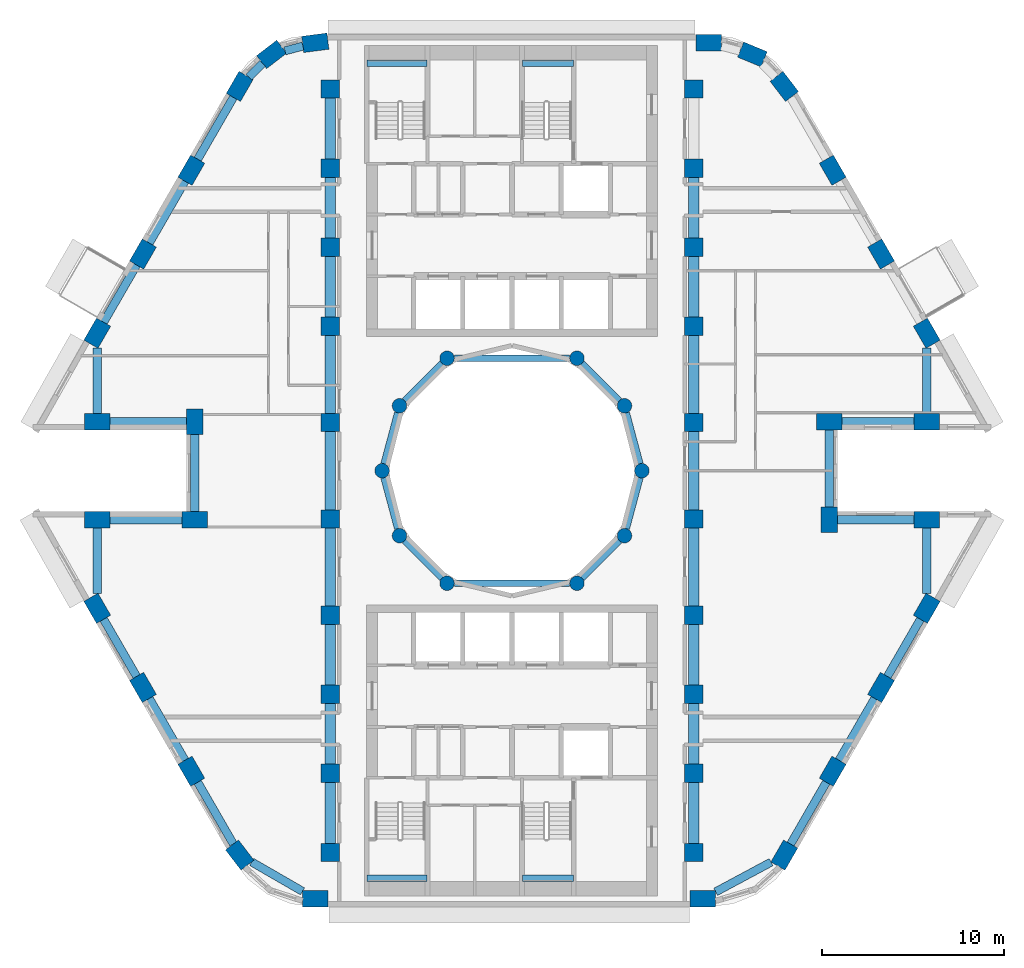
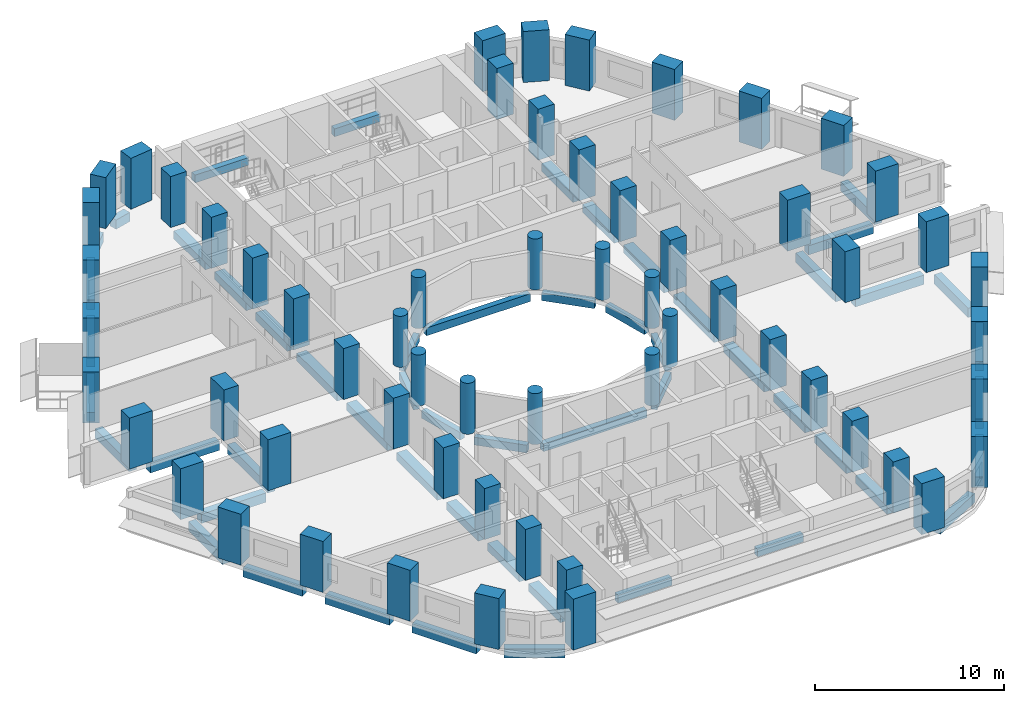
# One storey, part 1 of 14: 60 columns, 54 beams.
"""IFC4 building model written with IfcOpenShell, lengths in metres."""

from ifc_helpers import new_model, si_unit, direction, frame, origin, origin_2d, place, context, subcontext, project, spatial, rectangle, circle, extrude, material, material_profile, profile_set, type_object, element, save


model = new_model("IFC4")

# Units and contexts
model_context = context("Model", 3, precision=1e-05, world=origin(), true_north=direction((0.0, 1.0)))
body_context = subcontext(model_context, "Body", "Model", "MODEL_VIEW")
ifc_project = project(units=[si_unit("LENGTHUNIT", "METRE"), si_unit("AREAUNIT", "SQUARE_METRE"), si_unit("VOLUMEUNIT", "CUBIC_METRE"), si_unit("PLANEANGLEUNIT", "RADIAN"), si_unit("MASSUNIT", "GRAM", prefix="KILO")], contexts=[model_context])

# Site, building, storey
site_placement = place(None, origin())
site = spatial("IfcSite", under=ifc_project, at=site_placement, CompositionType="ELEMENT")
building_placement = place(site_placement, origin())
building = spatial("IfcBuilding", under=site, at=building_placement, Name="Nakaniwa Court", CompositionType="ELEMENT")
storey_placement = place(building_placement, frame((0.0, 0.0, 114.0)))
storey = spatial("IfcBuildingStorey", under=building, at=storey_placement, Name="L30", CompositionType="ELEMENT", Elevation=114.0)

# Columns
ifc_material = material(Name="Concrete C80/100", Category="concrete")
ifc_material_profile_1 = material_profile(ifc_material, rectangle(XDim=1.0, YDim=1.0, at=origin_2d()), Name="Concrete C80/100 RC 1000x1000 spine column")
ifc_profile_set_1 = profile_set([ifc_material_profile_1], Name="Concrete C80/100")
column_type_1 = type_object("IfcColumnType", Name="Concrete C80/100 RC 1000x1000 spine column", PredefinedType="COLUMN", material=ifc_profile_set_1)
for number, where, z_axis, x_axis, name in (
    (1, (90.0, 59.0, 0.0), (0.0, 0.0, 1.0), (0.0, 1.0, 0.0), "COLUMN CS-01"),
    (2, (90.0, 63.35009765625, 0.0), (0.0, 0.0, 1.0), (0.0, 1.0, 0.0), "COLUMN CS-02"),
    (3, (90.0, 67.699951171875, 0.0), (0.0, 0.0, 1.0), (0.0, 1.0, 0.0), "COLUMN CS-03"),
    (4, (90.0, 72.050048828125, 0.0), (0.0, 0.0, 1.0), (0.0, 1.0, 0.0), "COLUMN CS-04"),
    (5, (90.0, 77.35009765625, 0.0), (0.0, 0.0, 1.0), (0.0, 1.0, 0.0), "COLUMN CS-05"),
    (6, (90.0, 82.64990234375, 0.0), (0.0, 0.0, 1.0), (0.0, 1.0, 0.0), "COLUMN CS-06"),
    (7, (90.0, 87.949951171875, 0.0), (0.0, 0.0, 1.0), (0.0, 1.0, 0.0), "COLUMN CS-07"),
    (8, (90.0, 92.300048828125, 0.0), (0.0, 0.0, 1.0), (0.0, 1.0, 0.0), "COLUMN CS-08"),
    (9, (90.0, 96.64990234375, 0.0), (0.0, 0.0, 1.0), (0.0, 1.0, 0.0), "COLUMN CS-09"),
    (10, (90.0, 101.0, 0.0), (0.0, 0.0, 1.0), (0.0, 1.0, 0.0), "COLUMN CS-10"),
    (11, (70.0, 101.0, 0.0), (0.0, 0.0, 1.0), (0.0, -1.0, 0.0), "COLUMN CS-11"),
    (12, (70.0, 96.64990234375, 0.0), (0.0, 0.0, 1.0), (0.0, -1.0, 0.0), "COLUMN CS-12"),
    (13, (70.0, 92.300048828125, 0.0), (0.0, 0.0, 1.0), (0.0, -1.0, 0.0), "COLUMN CS-13"),
    (14, (70.0, 87.949951171875, 0.0), (0.0, 0.0, 1.0), (0.0, -1.0, 0.0), "COLUMN CS-14"),
    (15, (70.0, 82.64990234375, 0.0), (0.0, 0.0, 1.0), (0.0, -1.0, 0.0), "COLUMN CS-15"),
    (16, (70.0, 77.35009765625, 0.0), (0.0, 0.0, 1.0), (0.0, -1.0, 0.0), "COLUMN CS-16"),
    (17, (70.0, 72.050048828125, 0.0), (0.0, 0.0, 1.0), (0.0, -1.0, 0.0), "COLUMN CS-17"),
    (18, (70.0, 67.699951171875, 0.0), (0.0, 0.0, 1.0), (0.0, -1.0, 0.0), "COLUMN CS-18"),
    (19, (70.0, 63.35009765625, 0.0), (0.0, 0.0, 1.0), (0.0, -1.0, 0.0), "COLUMN CS-19"),
    (20, (70.0, 59.0, 0.0), (0.0, 0.0, 1.0), (0.0, -1.0, 0.0), "COLUMN CS-20"),
):
    element("IfcColumn", number, at=place(storey_placement, frame(where, z_axis=z_axis, x_axis=x_axis)), inside=storey, type_object=column_type_1, Name=name, PredefinedType="COLUMN", context=body_context, shape_type="SweptSolid", body=[
        extrude(rectangle(XDim=1.0, YDim=1.0, at=origin_2d()), origin(), (0.0, 0.0, 1.0), 3.300048828125),
    ])
ifc_material_profile_2 = material_profile(ifc_material, rectangle(XDim=1.39990234375, YDim=0.89990234375, at=origin_2d()), Name="Concrete C80/100 RC 1400x900 perimeter column")
ifc_profile_set_2 = profile_set([ifc_material_profile_2], Name="Concrete C80/100")
column_type_2 = type_object("IfcColumnType", Name="Concrete C80/100 RC 1400x900 perimeter column", PredefinedType="COLUMN", material=ifc_profile_set_2)
for number, where, z_axis, x_axis, name in (
    (21, (69.17529296875, 103.550048828125, 0.0), (0.0, 0.0, 1.0), (-0.991442583111, -0.130543496177, 0.0), "COLUMN CO-01"),
    (22, (66.772705078125, 102.91015625, 0.0), (0.0, 0.0, 1.0), (-0.793363965062, -0.608747582288, 0.0), "COLUMN CO-02"),
    (23, (65.017578125, 101.1494140625, 0.0), (0.0, 0.0, 1.0), (-0.5, -0.866025403784, 0.0), "COLUMN CO-03"),
    (24, (62.3544921875, 96.537109375, 0.0), (0.0, 0.0, 1.0), (-0.5, -0.866025403784, 0.0), "COLUMN CO-04"),
    (25, (59.691650390625, 91.9248046875, 0.0), (0.0, 0.0, 1.0), (-0.5, -0.866025403784, 0.0), "COLUMN CO-05"),
    (26, (57.177001953125, 87.569580078125, 0.0), (0.0, 0.0, 1.0), (-0.5, -0.866025403784, 0.0), "COLUMN CO-06"),
    (27, (57.177001953125, 82.699951171875, 0.0), (0.0, 0.0, 1.0), (1.0, 0.0, 0.0), "COLUMN CO-08"),
    (28, (62.54150390625, 82.699951171875, 0.0), (0.0, 0.0, 1.0), (0.0, -1.0, 0.0), "COLUMN CO-09"),
    (29, (62.54150390625, 77.300048828125, 0.0), (0.0, 0.0, 1.0), (-1.0, 0.0, 0.0), "COLUMN CO-10"),
    (30, (57.177001953125, 77.300048828125, 0.0), (0.0, 0.0, 1.0), (-1.0, 0.0, 0.0), "COLUMN CO-11"),
    (31, (57.177001953125, 72.430419921875, 0.0), (0.0, 0.0, 1.0), (0.5, -0.866025403784, 0.0), "COLUMN CO-13"),
    (32, (59.691650390625, 68.0751953125, 0.0), (0.0, 0.0, 1.0), (0.5, -0.866025403784, 0.0), "COLUMN CO-14"),
    (33, (62.3544921875, 63.462890625, 0.0), (0.0, 0.0, 1.0), (0.5, -0.866025403784, 0.0), "COLUMN CO-15"),
    (34, (65.017578125, 58.8505859375, 0.0), (0.0, 0.0, 1.0), (0.608761429009, -0.793353340291, 0.0), "COLUMN CO-16"),
    (35, (69.17529296875, 56.449951171875, 0.0), (0.0, 0.0, 1.0), (1.0, 0.0, 0.0), "COLUMN CO-17"),
    (36, (90.507080078125, 56.449951171875, 0.0), (0.0, 0.0, 1.0), (1.0, 0.0, 0.0), "COLUMN CO-21"),
    (37, (94.982421875, 58.8505859375, 0.0), (0.0, 0.0, 1.0), (0.5, 0.866025403784, 0.0), "COLUMN CO-22"),
    (38, (97.6455078125, 63.462890625, 0.0), (0.0, 0.0, 1.0), (0.5, 0.866025403784, 0.0), "COLUMN CO-23"),
    (39, (100.308349609375, 68.0751953125, 0.0), (0.0, 0.0, 1.0), (0.5, 0.866025403784, 0.0), "COLUMN CO-24"),
    (40, (102.822998046875, 72.430419921875, 0.0), (0.0, 0.0, 1.0), (0.5, 0.866025403784, 0.0), "COLUMN CO-25"),
    (41, (102.822998046875, 77.300048828125, 0.0), (0.0, 0.0, 1.0), (-1.0, 0.0, 0.0), "COLUMN CO-27"),
    (42, (97.45849609375, 77.300048828125, 0.0), (0.0, 0.0, 1.0), (0.0, 1.0, 0.0), "COLUMN CO-28"),
    (43, (97.45849609375, 82.699951171875, 0.0), (0.0, 0.0, 1.0), (1.0, 0.0, 0.0), "COLUMN CO-29"),
    (44, (102.822998046875, 82.699951171875, 0.0), (0.0, 0.0, 1.0), (1.0, 0.0, 0.0), "COLUMN CO-30"),
    (45, (102.822998046875, 87.569580078125, 0.0), (0.0, 0.0, 1.0), (-0.5, 0.866025403784, 0.0), "COLUMN CO-32"),
    (46, (100.308349609375, 91.9248046875, 0.0), (0.0, 0.0, 1.0), (-0.5, 0.866025403784, 0.0), "COLUMN CO-33"),
    (47, (97.6455078125, 96.537109375, 0.0), (0.0, 0.0, 1.0), (-0.5, 0.866025403784, 0.0), "COLUMN CO-34"),
    (48, (94.982421875, 101.1494140625, 0.0), (0.0, 0.0, 1.0), (-0.608761429009, 0.793353340291, 0.0), "COLUMN CO-35"),
    (49, (93.227294921875, 102.91015625, 0.0), (0.0, 0.0, 1.0), (-0.923879532511, 0.382683432365, 0.0), "COLUMN CO-36"),
    (50, (90.82470703125, 103.550048828125, 0.0), (0.0, 0.0, 1.0), (-1.0, 0.0, 0.0), "COLUMN CO-37"),
):
    element("IfcColumn", number, at=place(storey_placement, frame(where, z_axis=z_axis, x_axis=x_axis)), inside=storey, type_object=column_type_2, Name=name, PredefinedType="COLUMN", context=body_context, shape_type="SweptSolid", body=[
        extrude(rectangle(XDim=1.39990234375, YDim=0.89990234375, at=origin_2d()), origin(), (0.0, 0.0, 1.0), 3.300048828125),
    ])
ifc_material_profile_3 = material_profile(ifc_material, circle(Radius=0.39990234375, at=origin_2d()), Name="Concrete C80/100 RC D800 inner ring column")
ifc_profile_set_3 = profile_set([ifc_material_profile_3], Name="Concrete C80/100")
column_type_3 = type_object("IfcColumnType", Name="Concrete C80/100 RC D800 inner ring column", PredefinedType="COLUMN", material=ifc_profile_set_3)
for number, where, z_axis, x_axis, name in (
    (51, (87.14990234375, 80.0, 0.0), (0.0, 0.0, 1.0), (0.0, 1.0, 0.0), "COLUMN CI-01"),
    (52, (86.192138671875, 83.574951171875, 0.0), (0.0, 0.0, 1.0), (-0.5, 0.866025403784, 0.0), "COLUMN CI-02"),
    (53, (83.574951171875, 86.192138671875, 0.0), (0.0, 0.0, 1.0), (-0.866025403784, 0.5, 0.0), "COLUMN CI-03"),
    (54, (76.425048828125, 86.192138671875, 0.0), (0.0, 0.0, 1.0), (-0.866025403784, -0.5, 0.0), "COLUMN CI-05"),
    (55, (73.807861328125, 83.574951171875, 0.0), (0.0, 0.0, 1.0), (-0.5, -0.866025403784, 0.0), "COLUMN CI-06"),
    (56, (72.85009765625, 80.0, 0.0), (0.0, 0.0, 1.0), (0.0, -1.0, 0.0), "COLUMN CI-07"),
    (57, (73.807861328125, 76.425048828125, 0.0), (0.0, 0.0, 1.0), (0.5, -0.866025403784, 0.0), "COLUMN CI-08"),
    (58, (76.425048828125, 73.807861328125, 0.0), (0.0, 0.0, 1.0), (0.866025403784, -0.5, 0.0), "COLUMN CI-09"),
    (59, (83.574951171875, 73.807861328125, 0.0), (0.0, 0.0, 1.0), (0.866025403784, 0.5, 0.0), "COLUMN CI-11"),
    (60, (86.192138671875, 76.425048828125, 0.0), (0.0, 0.0, 1.0), (0.5, 0.866025403784, 0.0), "COLUMN CI-12"),
):
    element("IfcColumn", number, at=place(storey_placement, frame(where, z_axis=z_axis, x_axis=x_axis)), inside=storey, type_object=column_type_3, Name=name, PredefinedType="COLUMN", context=body_context, shape_type="SweptSolid", body=[
        extrude(circle(Radius=0.39990234375, at=origin_2d()), origin(), (0.0, 0.0, 1.0), 3.300048828125),
    ])

# Beams
ifc_material_profile_4 = material_profile(ifc_material, rectangle(XDim=0.35009765625, YDim=0.5, at=origin_2d()), Name="Concrete C80/100 RC 350x500 landing ledge beam")
ifc_profile_set_4 = profile_set([ifc_material_profile_4], Name="Concrete C80/100")
beam_type_1 = type_object("IfcBeamType", Name="Concrete C80/100 RC 350x500 landing ledge beam", PredefinedType="BEAM", material=ifc_profile_set_4)
beam_1_placement = place(storey_placement, frame((72.02490234375, 102.425048828125, 1.199951171875), z_axis=(1.0, 0.0, 0.0), x_axis=(0.0, 1.0, 0.0)))
element("IfcBeam", 61, at=beam_1_placement, inside=storey, type_object=beam_type_1, Name="LANDING LEDGE BEAM", PredefinedType="BEAM", context=body_context, shape_type="SweptSolid", body=[
    extrude(rectangle(XDim=0.35009765625, YDim=0.5, at=origin_2d()), origin(), (0.0, 0.0, 1.0), 3.300048828125),
])
beam_2_placement = place(storey_placement, frame((80.574951171875, 102.425048828125, 1.199951171875), z_axis=(1.0, 0.0, 0.0), x_axis=(0.0, 1.0, 0.0)))
element("IfcBeam", 62, at=beam_2_placement, inside=storey, type_object=beam_type_1, Name="LANDING LEDGE BEAM", PredefinedType="BEAM", context=body_context, shape_type="SweptSolid", body=[
    extrude(rectangle(XDim=0.35009765625, YDim=0.5, at=origin_2d()), origin(), (0.0, 0.0, 1.0), 2.800048828125),
])
beam_3_placement = place(storey_placement, frame((72.02490234375, 57.574951171875, 1.199951171875), z_axis=(1.0, 0.0, 0.0), x_axis=(0.0, 1.0, 0.0)))
element("IfcBeam", 63, at=beam_3_placement, inside=storey, type_object=beam_type_1, Name="LANDING LEDGE BEAM", PredefinedType="BEAM", context=body_context, shape_type="SweptSolid", body=[
    extrude(rectangle(XDim=0.35009765625, YDim=0.5, at=origin_2d()), origin(), (0.0, 0.0, 1.0), 3.300048828125),
])
beam_4_placement = place(storey_placement, frame((80.574951171875, 57.574951171875, 1.199951171875), z_axis=(1.0, 0.0, 0.0), x_axis=(0.0, 1.0, 0.0)))
element("IfcBeam", 64, at=beam_4_placement, inside=storey, type_object=beam_type_1, Name="LANDING LEDGE BEAM", PredefinedType="BEAM", context=body_context, shape_type="SweptSolid", body=[
    extrude(rectangle(XDim=0.35009765625, YDim=0.5, at=origin_2d()), origin(), (0.0, 0.0, 1.0), 2.800048828125),
])
ifc_material_profile_5 = material_profile(ifc_material, rectangle(XDim=0.35009765625, YDim=0.5, at=origin_2d()), Name="Concrete C80/100 RC 350x500 ring beam")
ifc_profile_set_5 = profile_set([ifc_material_profile_5], Name="Concrete C80/100")
beam_type_2 = type_object("IfcBeamType", Name="Concrete C80/100 RC 350x500 ring beam", PredefinedType="BEAM", material=ifc_profile_set_5)
beam_5_placement = place(storey_placement, frame((87.04638671875, 80.386474609375, -0.52490234375), z_axis=(-0.258778150207, 0.965936783115, 0.0), x_axis=(-0.965936783115, -0.258778150207, 0.0)))
element("IfcBeam", 65, at=beam_5_placement, inside=storey, type_object=beam_type_2, Name="RING BEAM", PredefinedType="BEAM", context=body_context, shape_type="SweptSolid", body=[
    extrude(rectangle(XDim=0.35009765625, YDim=0.5, at=origin_2d()), origin(), (0.0, 0.0, 1.0), 2.901123046875),
])
beam_6_placement = place(storey_placement, frame((85.9091796875, 83.85791015625, -0.52490234375), z_axis=(-0.707106781187, 0.707106781187, 0.0), x_axis=(-0.707106781187, -0.707106781187, 0.0)))
element("IfcBeam", 66, at=beam_6_placement, inside=storey, type_object=beam_type_2, Name="RING BEAM", PredefinedType="BEAM", context=body_context, shape_type="SweptSolid", body=[
    extrude(rectangle(XDim=0.35009765625, YDim=0.5, at=origin_2d()), origin(), (0.0, 0.0, 1.0), 2.90087890625),
])
beam_7_placement = place(storey_placement, frame((83.175048828125, 86.192138671875, -0.52490234375), z_axis=(-1.0, 0.0, 0.0), x_axis=(0.0, -1.0, 0.0)))
element("IfcBeam", 67, at=beam_7_placement, inside=storey, type_object=beam_type_2, Name="RING BEAM", PredefinedType="BEAM", context=body_context, shape_type="SweptSolid", body=[
    extrude(rectangle(XDim=0.35009765625, YDim=0.5, at=origin_2d()), origin(), (0.0, 0.0, 1.0), 6.35009765625),
])
beam_8_placement = place(storey_placement, frame((76.14208984375, 85.9091796875, -0.52490234375), z_axis=(-0.707106781187, -0.707106781187, 0.0), x_axis=(0.707106781187, -0.707106781187, 0.0)))
element("IfcBeam", 68, at=beam_8_placement, inside=storey, type_object=beam_type_2, Name="RING BEAM", PredefinedType="BEAM", context=body_context, shape_type="SweptSolid", body=[
    extrude(rectangle(XDim=0.35009765625, YDim=0.5, at=origin_2d()), origin(), (0.0, 0.0, 1.0), 2.90087890625),
])
for number, where, z_axis, x_axis, name in (
    (69, (73.704345703125, 83.188720703125, -0.52490234375), (-0.258778150207, -0.965936783115, 0.0), (0.965936783115, -0.258778150207, 0.0), "RING BEAM"),
    (70, (72.95361328125, 79.613525390625, -0.52490234375), (0.258778150207, -0.965936783115, 0.0), (0.965936783115, 0.258778150207, 0.0), "RING BEAM"),
):
    element("IfcBeam", number, at=place(storey_placement, frame(where, z_axis=z_axis, x_axis=x_axis)), inside=storey, type_object=beam_type_2, Name=name, PredefinedType="BEAM", context=body_context, shape_type="SweptSolid", body=[
        extrude(rectangle(XDim=0.35009765625, YDim=0.5, at=origin_2d()), origin(), (0.0, 0.0, 1.0), 2.901123046875),
    ])
beam_9_placement = place(storey_placement, frame((74.0908203125, 76.14208984375, -0.52490234375), z_axis=(0.707106781187, -0.707106781187, 0.0), x_axis=(0.707106781187, 0.707106781187, 0.0)))
element("IfcBeam", 71, at=beam_9_placement, inside=storey, type_object=beam_type_2, Name="RING BEAM", PredefinedType="BEAM", context=body_context, shape_type="SweptSolid", body=[
    extrude(rectangle(XDim=0.35009765625, YDim=0.5, at=origin_2d()), origin(), (0.0, 0.0, 1.0), 2.90087890625),
])
beam_10_placement = place(storey_placement, frame((76.824951171875, 73.807861328125, -0.52490234375), z_axis=(1.0, 0.0, 0.0), x_axis=(0.0, 1.0, 0.0)))
element("IfcBeam", 72, at=beam_10_placement, inside=storey, type_object=beam_type_2, Name="RING BEAM", PredefinedType="BEAM", context=body_context, shape_type="SweptSolid", body=[
    extrude(rectangle(XDim=0.35009765625, YDim=0.5, at=origin_2d()), origin(), (0.0, 0.0, 1.0), 6.35009765625),
])
beam_11_placement = place(storey_placement, frame((83.85791015625, 74.0908203125, -0.52490234375), z_axis=(0.707106781187, 0.707106781187, 0.0), x_axis=(-0.707106781187, 0.707106781187, 0.0)))
element("IfcBeam", 73, at=beam_11_placement, inside=storey, type_object=beam_type_2, Name="RING BEAM", PredefinedType="BEAM", context=body_context, shape_type="SweptSolid", body=[
    extrude(rectangle(XDim=0.35009765625, YDim=0.5, at=origin_2d()), origin(), (0.0, 0.0, 1.0), 2.90087890625),
])
beam_12_placement = place(storey_placement, frame((86.295654296875, 76.811279296875, -0.52490234375), z_axis=(0.258778150207, 0.965936783115, 0.0), x_axis=(-0.965936783115, 0.258778150207, 0.0)))
element("IfcBeam", 74, at=beam_12_placement, inside=storey, type_object=beam_type_2, Name="RING BEAM", PredefinedType="BEAM", context=body_context, shape_type="SweptSolid", body=[
    extrude(rectangle(XDim=0.35009765625, YDim=0.5, at=origin_2d()), origin(), (0.0, 0.0, 1.0), 2.901123046875),
])
ifc_material_profile_6 = material_profile(ifc_material, rectangle(XDim=0.449951171875, YDim=0.60009765625, at=origin_2d()), Name="Concrete C80/100 RC 450x600 spandrel beam")
ifc_profile_set_6 = profile_set([ifc_material_profile_6], Name="Concrete C80/100")
beam_type_3 = type_object("IfcBeamType", Name="Concrete C80/100 RC 450x600 spandrel beam", PredefinedType="BEAM", material=ifc_profile_set_6)
beam_13_placement = place(storey_placement, frame((68.4931640625, 103.368408203125, -0.574951171875), z_axis=(-0.966290412053, -0.257454538851, 0.0), x_axis=(0.257454538851, -0.966290412053, 0.0)))
element("IfcBeam", 75, at=beam_13_placement, inside=storey, type_object=beam_type_3, Name="SPANDREL BEAM", PredefinedType="BEAM", context=body_context, shape_type="SweptSolid", body=[
    extrude(rectangle(XDim=0.449951171875, YDim=0.60009765625, at=origin_2d()), origin(), (0.0, 0.0, 1.0), 1.022216796875),
])
beam_14_placement = place(storey_placement, frame((66.274169921875, 102.41015625, -0.574951171875), z_axis=(-0.70606530329, -0.708146727374, 0.0), x_axis=(0.708146727374, -0.70606530329, 0.0)))
element("IfcBeam", 76, at=beam_14_placement, inside=storey, type_object=beam_type_3, Name="SPANDREL BEAM", PredefinedType="BEAM", context=body_context, shape_type="SweptSolid", body=[
    extrude(rectangle(XDim=0.449951171875, YDim=0.60009765625, at=origin_2d()), origin(), (0.0, 0.0, 1.0), 1.0556640625),
])
for number, where, z_axis, x_axis, name in (
    (77, (64.66748046875, 100.543212890625, -0.574951171875), (-0.49999161165, -0.866030246746, 0.0), (0.866030246746, -0.49999161165, 0.0), "SPANDREL BEAM"),
    (78, (62.00439453125, 95.930908203125, -0.574951171875), (-0.49999161165, -0.866030246746, 0.0), (0.866030246746, -0.49999161165, 0.0), "SPANDREL BEAM"),
):
    element("IfcBeam", number, at=place(storey_placement, frame(where, z_axis=z_axis, x_axis=x_axis)), inside=storey, type_object=beam_type_3, Name=name, PredefinedType="BEAM", context=body_context, shape_type="SweptSolid", body=[
        extrude(rectangle(XDim=0.449951171875, YDim=0.60009765625, at=origin_2d()), origin(), (0.0, 0.0, 1.0), 3.92578125),
    ])
beam_15_placement = place(storey_placement, frame((59.341552734375, 91.318603515625, -0.574951171875), z_axis=(-0.499988394233, -0.866032104273, 0.0), x_axis=(0.866032104273, -0.499988394233, 0.0)))
element("IfcBeam", 79, at=beam_15_placement, inside=storey, type_object=beam_type_3, Name="SPANDREL BEAM", PredefinedType="BEAM", context=body_context, shape_type="SweptSolid", body=[
    extrude(rectangle(XDim=0.449951171875, YDim=0.60009765625, at=origin_2d()), origin(), (0.0, 0.0, 1.0), 3.62890625),
])
beam_16_placement = place(storey_placement, frame((57.177001953125, 86.761474609375, -0.574951171875), z_axis=(0.0, -1.0, 0.0), x_axis=(1.0, 0.0, 0.0)))
element("IfcBeam", 80, at=beam_16_placement, inside=storey, type_object=beam_type_3, Name="SPANDREL BEAM", PredefinedType="BEAM", context=body_context, shape_type="SweptSolid", body=[
    extrude(rectangle(XDim=0.449951171875, YDim=0.60009765625, at=origin_2d()), origin(), (0.0, 0.0, 1.0), 3.611572265625),
])
beam_17_placement = place(storey_placement, frame((57.877197265625, 82.699951171875, -0.574951171875), z_axis=(1.0, 0.0, 0.0), x_axis=(0.0, 1.0, 0.0)))
element("IfcBeam", 81, at=beam_17_placement, inside=storey, type_object=beam_type_3, Name="SPANDREL BEAM", PredefinedType="BEAM", context=body_context, shape_type="SweptSolid", body=[
    extrude(rectangle(XDim=0.449951171875, YDim=0.60009765625, at=origin_2d()), origin(), (0.0, 0.0, 1.0), 4.21435546875),
])
beam_18_placement = place(storey_placement, frame((62.54150390625, 82.0, -0.574951171875), z_axis=(0.0, -1.0, 0.0), x_axis=(1.0, 0.0, 0.0)))
element("IfcBeam", 82, at=beam_18_placement, inside=storey, type_object=beam_type_3, Name="SPANDREL BEAM", PredefinedType="BEAM", context=body_context, shape_type="SweptSolid", body=[
    extrude(rectangle(XDim=0.449951171875, YDim=0.60009765625, at=origin_2d()), origin(), (0.0, 0.0, 1.0), 4.25),
])
beam_19_placement = place(storey_placement, frame((61.841552734375, 77.300048828125, -0.574951171875), z_axis=(-1.0, 0.0, 0.0), x_axis=(0.0, -1.0, 0.0)))
element("IfcBeam", 83, at=beam_19_placement, inside=storey, type_object=beam_type_3, Name="SPANDREL BEAM", PredefinedType="BEAM", context=body_context, shape_type="SweptSolid", body=[
    extrude(rectangle(XDim=0.449951171875, YDim=0.60009765625, at=origin_2d()), origin(), (0.0, 0.0, 1.0), 3.96435546875),
])
beam_20_placement = place(storey_placement, frame((57.177001953125, 76.85009765625, -0.574951171875), z_axis=(0.0, -1.0, 0.0), x_axis=(1.0, 0.0, 0.0)))
element("IfcBeam", 84, at=beam_20_placement, inside=storey, type_object=beam_type_3, Name="SPANDREL BEAM", PredefinedType="BEAM", context=body_context, shape_type="SweptSolid", body=[
    extrude(rectangle(XDim=0.449951171875, YDim=0.60009765625, at=origin_2d()), origin(), (0.0, 0.0, 1.0), 3.611572265625),
])
beam_21_placement = place(storey_placement, frame((57.527099609375, 71.82421875, -0.574951171875), z_axis=(0.499988394233, -0.866032104273, 0.0), x_axis=(0.866032104273, 0.499988394233, 0.0)))
element("IfcBeam", 85, at=beam_21_placement, inside=storey, type_object=beam_type_3, Name="SPANDREL BEAM", PredefinedType="BEAM", context=body_context, shape_type="SweptSolid", body=[
    extrude(rectangle(XDim=0.449951171875, YDim=0.60009765625, at=origin_2d()), origin(), (0.0, 0.0, 1.0), 3.62890625),
])
beam_22_placement = place(storey_placement, frame((60.04150390625, 67.468994140625, -0.574951171875), z_axis=(0.49999161165, -0.866030246746, 0.0), x_axis=(0.866030246746, 0.49999161165, 0.0)))
element("IfcBeam", 86, at=beam_22_placement, inside=storey, type_object=beam_type_3, Name="SPANDREL BEAM", PredefinedType="BEAM", context=body_context, shape_type="SweptSolid", body=[
    extrude(rectangle(XDim=0.449951171875, YDim=0.60009765625, at=origin_2d()), origin(), (0.0, 0.0, 1.0), 3.92578125),
])
beam_23_placement = place(storey_placement, frame((62.70458984375, 62.856689453125, -0.574951171875), z_axis=(0.499997407846, -0.86602690036, 0.0), x_axis=(0.86602690036, 0.499997407846, 0.0)))
element("IfcBeam", 87, at=beam_23_placement, inside=storey, type_object=beam_type_3, Name="SPANDREL BEAM", PredefinedType="BEAM", context=body_context, shape_type="SweptSolid", body=[
    extrude(rectangle(XDim=0.449951171875, YDim=0.60009765625, at=origin_2d()), origin(), (0.0, 0.0, 1.0), 3.919921875),
])
beam_24_placement = place(storey_placement, frame((65.673583984375, 58.4716796875, -0.574951171875), z_axis=(0.866014675542, -0.5000185814, 0.0), x_axis=(0.5000185814, 0.866014675542, 0.0)))
element("IfcBeam", 88, at=beam_24_placement, inside=storey, type_object=beam_type_3, Name="SPANDREL BEAM", PredefinedType="BEAM", context=body_context, shape_type="SweptSolid", body=[
    extrude(rectangle(XDim=0.449951171875, YDim=0.60009765625, at=origin_2d()), origin(), (0.0, 0.0, 1.0), 3.2353515625),
])
beam_25_placement = place(storey_placement, frame((91.20703125, 56.825439453125, -0.574951171875), z_axis=(0.881233381314, 0.472681423009, 0.0), x_axis=(-0.472681423009, 0.881233381314, 0.0)))
element("IfcBeam", 89, at=beam_25_placement, inside=storey, type_object=beam_type_3, Name="SPANDREL BEAM", PredefinedType="BEAM", context=body_context, shape_type="SweptSolid", body=[
    extrude(rectangle(XDim=0.449951171875, YDim=0.60009765625, at=origin_2d()), origin(), (0.0, 0.0, 1.0), 3.46044921875),
])
for number, where, z_axis, x_axis, name in (
    (90, (95.33251953125, 59.456787109375, -0.574951171875), (0.49999161165, 0.866030246746, 0.0), (-0.866030246746, 0.49999161165, 0.0), "SPANDREL BEAM"),
    (91, (97.99560546875, 64.069091796875, -0.574951171875), (0.49999161165, 0.866030246746, 0.0), (-0.866030246746, 0.49999161165, 0.0), "SPANDREL BEAM"),
):
    element("IfcBeam", number, at=place(storey_placement, frame(where, z_axis=z_axis, x_axis=x_axis)), inside=storey, type_object=beam_type_3, Name=name, PredefinedType="BEAM", context=body_context, shape_type="SweptSolid", body=[
        extrude(rectangle(XDim=0.449951171875, YDim=0.60009765625, at=origin_2d()), origin(), (0.0, 0.0, 1.0), 3.92578125),
    ])
beam_26_placement = place(storey_placement, frame((100.658447265625, 68.681396484375, -0.574951171875), z_axis=(0.499988394233, 0.866032104273, 0.0), x_axis=(-0.866032104273, 0.499988394233, 0.0)))
element("IfcBeam", 92, at=beam_26_placement, inside=storey, type_object=beam_type_3, Name="SPANDREL BEAM", PredefinedType="BEAM", context=body_context, shape_type="SweptSolid", body=[
    extrude(rectangle(XDim=0.449951171875, YDim=0.60009765625, at=origin_2d()), origin(), (0.0, 0.0, 1.0), 3.62890625),
])
beam_27_placement = place(storey_placement, frame((102.822998046875, 73.238525390625, -0.574951171875), z_axis=(0.0, 1.0, 0.0), x_axis=(-1.0, 0.0, 0.0)))
element("IfcBeam", 93, at=beam_27_placement, inside=storey, type_object=beam_type_3, Name="SPANDREL BEAM", PredefinedType="BEAM", context=body_context, shape_type="SweptSolid", body=[
    extrude(rectangle(XDim=0.449951171875, YDim=0.60009765625, at=origin_2d()), origin(), (0.0, 0.0, 1.0), 3.611572265625),
])
beam_28_placement = place(storey_placement, frame((102.122802734375, 77.300048828125, -0.574951171875), z_axis=(-1.0, 0.0, 0.0), x_axis=(0.0, -1.0, 0.0)))
element("IfcBeam", 94, at=beam_28_placement, inside=storey, type_object=beam_type_3, Name="SPANDREL BEAM", PredefinedType="BEAM", context=body_context, shape_type="SweptSolid", body=[
    extrude(rectangle(XDim=0.449951171875, YDim=0.60009765625, at=origin_2d()), origin(), (0.0, 0.0, 1.0), 4.21435546875),
])
beam_29_placement = place(storey_placement, frame((97.45849609375, 78.0, -0.574951171875), z_axis=(0.0, 1.0, 0.0), x_axis=(-1.0, 0.0, 0.0)))
element("IfcBeam", 95, at=beam_29_placement, inside=storey, type_object=beam_type_3, Name="SPANDREL BEAM", PredefinedType="BEAM", context=body_context, shape_type="SweptSolid", body=[
    extrude(rectangle(XDim=0.449951171875, YDim=0.60009765625, at=origin_2d()), origin(), (0.0, 0.0, 1.0), 4.25),
])
beam_30_placement = place(storey_placement, frame((98.158447265625, 82.699951171875, -0.574951171875), z_axis=(1.0, 0.0, 0.0), x_axis=(0.0, 1.0, 0.0)))
element("IfcBeam", 96, at=beam_30_placement, inside=storey, type_object=beam_type_3, Name="SPANDREL BEAM", PredefinedType="BEAM", context=body_context, shape_type="SweptSolid", body=[
    extrude(rectangle(XDim=0.449951171875, YDim=0.60009765625, at=origin_2d()), origin(), (0.0, 0.0, 1.0), 3.96435546875),
])
beam_31_placement = place(storey_placement, frame((102.822998046875, 83.14990234375, -0.574951171875), z_axis=(0.0, 1.0, 0.0), x_axis=(-1.0, 0.0, 0.0)))
element("IfcBeam", 97, at=beam_31_placement, inside=storey, type_object=beam_type_3, Name="SPANDREL BEAM", PredefinedType="BEAM", context=body_context, shape_type="SweptSolid", body=[
    extrude(rectangle(XDim=0.449951171875, YDim=0.60009765625, at=origin_2d()), origin(), (0.0, 0.0, 1.0), 3.611572265625),
])
ifc_material_profile_7 = material_profile(ifc_material, rectangle(XDim=0.60009765625, YDim=0.5, at=origin_2d()), Name="Concrete C80/100 RC 600x500 ring beam")
ifc_profile_set_7 = profile_set([ifc_material_profile_7], Name="Concrete C80/100")
beam_type_4 = type_object("IfcBeamType", Name="Concrete C80/100 RC 600x500 ring beam", PredefinedType="BEAM", material=ifc_profile_set_7)
beam_32_placement = place(storey_placement, frame((90.0, 59.5, -0.52490234375), z_axis=(0.0, 1.0, 0.0), x_axis=(-1.0, 0.0, 0.0)))
element("IfcBeam", 98, at=beam_32_placement, inside=storey, type_object=beam_type_4, Name="RING BEAM", PredefinedType="BEAM", context=body_context, shape_type="SweptSolid", body=[
    extrude(rectangle(XDim=0.60009765625, YDim=0.5, at=origin_2d()), origin(), (0.0, 0.0, 1.0), 3.35009765625),
])
beam_33_placement = place(storey_placement, frame((90.0, 63.85009765625, -0.52490234375), z_axis=(0.0, 1.0, 0.0), x_axis=(-1.0, 0.0, 0.0)))
element("IfcBeam", 99, at=beam_33_placement, inside=storey, type_object=beam_type_4, Name="RING BEAM", PredefinedType="BEAM", context=body_context, shape_type="SweptSolid", body=[
    extrude(rectangle(XDim=0.60009765625, YDim=0.5, at=origin_2d()), origin(), (0.0, 0.0, 1.0), 3.349853515625),
])
beam_34_placement = place(storey_placement, frame((90.0, 68.199951171875, -0.52490234375), z_axis=(0.0, 1.0, 0.0), x_axis=(-1.0, 0.0, 0.0)))
element("IfcBeam", 100, at=beam_34_placement, inside=storey, type_object=beam_type_4, Name="RING BEAM", PredefinedType="BEAM", context=body_context, shape_type="SweptSolid", body=[
    extrude(rectangle(XDim=0.60009765625, YDim=0.5, at=origin_2d()), origin(), (0.0, 0.0, 1.0), 3.35009765625),
])
beam_35_placement = place(storey_placement, frame((90.0, 72.550048828125, -0.52490234375), z_axis=(0.0, 1.0, 0.0), x_axis=(-1.0, 0.0, 0.0)))
element("IfcBeam", 101, at=beam_35_placement, inside=storey, type_object=beam_type_4, Name="RING BEAM", PredefinedType="BEAM", context=body_context, shape_type="SweptSolid", body=[
    extrude(rectangle(XDim=0.60009765625, YDim=0.5, at=origin_2d()), origin(), (0.0, 0.0, 1.0), 4.300048828125),
])
beam_36_placement = place(storey_placement, frame((90.0, 77.85009765625, -0.52490234375), z_axis=(0.0, 1.0, 0.0), x_axis=(-1.0, 0.0, 0.0)))
element("IfcBeam", 102, at=beam_36_placement, inside=storey, type_object=beam_type_4, Name="RING BEAM", PredefinedType="BEAM", context=body_context, shape_type="SweptSolid", body=[
    extrude(rectangle(XDim=0.60009765625, YDim=0.5, at=origin_2d()), origin(), (0.0, 0.0, 1.0), 4.2998046875),
])
beam_37_placement = place(storey_placement, frame((90.0, 83.14990234375, -0.52490234375), z_axis=(0.0, 1.0, 0.0), x_axis=(-1.0, 0.0, 0.0)))
element("IfcBeam", 103, at=beam_37_placement, inside=storey, type_object=beam_type_4, Name="RING BEAM", PredefinedType="BEAM", context=body_context, shape_type="SweptSolid", body=[
    extrude(rectangle(XDim=0.60009765625, YDim=0.5, at=origin_2d()), origin(), (0.0, 0.0, 1.0), 4.300048828125),
])
beam_38_placement = place(storey_placement, frame((90.0, 88.449951171875, -0.52490234375), z_axis=(0.0, 1.0, 0.0), x_axis=(-1.0, 0.0, 0.0)))
element("IfcBeam", 104, at=beam_38_placement, inside=storey, type_object=beam_type_4, Name="RING BEAM", PredefinedType="BEAM", context=body_context, shape_type="SweptSolid", body=[
    extrude(rectangle(XDim=0.60009765625, YDim=0.5, at=origin_2d()), origin(), (0.0, 0.0, 1.0), 3.35009765625),
])
beam_39_placement = place(storey_placement, frame((90.0, 92.800048828125, -0.52490234375), z_axis=(0.0, 1.0, 0.0), x_axis=(-1.0, 0.0, 0.0)))
element("IfcBeam", 105, at=beam_39_placement, inside=storey, type_object=beam_type_4, Name="RING BEAM", PredefinedType="BEAM", context=body_context, shape_type="SweptSolid", body=[
    extrude(rectangle(XDim=0.60009765625, YDim=0.5, at=origin_2d()), origin(), (0.0, 0.0, 1.0), 3.349853515625),
])
beam_40_placement = place(storey_placement, frame((70.0, 100.5, -0.52490234375), z_axis=(0.0, -1.0, 0.0), x_axis=(1.0, 0.0, 0.0)))
element("IfcBeam", 106, at=beam_40_placement, inside=storey, type_object=beam_type_4, Name="RING BEAM", PredefinedType="BEAM", context=body_context, shape_type="SweptSolid", body=[
    extrude(rectangle(XDim=0.60009765625, YDim=0.5, at=origin_2d()), origin(), (0.0, 0.0, 1.0), 3.35009765625),
])
beam_41_placement = place(storey_placement, frame((70.0, 96.14990234375, -0.52490234375), z_axis=(0.0, -1.0, 0.0), x_axis=(1.0, 0.0, 0.0)))
element("IfcBeam", 107, at=beam_41_placement, inside=storey, type_object=beam_type_4, Name="RING BEAM", PredefinedType="BEAM", context=body_context, shape_type="SweptSolid", body=[
    extrude(rectangle(XDim=0.60009765625, YDim=0.5, at=origin_2d()), origin(), (0.0, 0.0, 1.0), 3.349853515625),
])
beam_42_placement = place(storey_placement, frame((70.0, 91.800048828125, -0.52490234375), z_axis=(0.0, -1.0, 0.0), x_axis=(1.0, 0.0, 0.0)))
element("IfcBeam", 108, at=beam_42_placement, inside=storey, type_object=beam_type_4, Name="RING BEAM", PredefinedType="BEAM", context=body_context, shape_type="SweptSolid", body=[
    extrude(rectangle(XDim=0.60009765625, YDim=0.5, at=origin_2d()), origin(), (0.0, 0.0, 1.0), 3.35009765625),
])
beam_43_placement = place(storey_placement, frame((70.0, 87.449951171875, -0.52490234375), z_axis=(0.0, -1.0, 0.0), x_axis=(1.0, 0.0, 0.0)))
element("IfcBeam", 109, at=beam_43_placement, inside=storey, type_object=beam_type_4, Name="RING BEAM", PredefinedType="BEAM", context=body_context, shape_type="SweptSolid", body=[
    extrude(rectangle(XDim=0.60009765625, YDim=0.5, at=origin_2d()), origin(), (0.0, 0.0, 1.0), 4.300048828125),
])
beam_44_placement = place(storey_placement, frame((70.0, 82.14990234375, -0.52490234375), z_axis=(0.0, -1.0, 0.0), x_axis=(1.0, 0.0, 0.0)))
element("IfcBeam", 110, at=beam_44_placement, inside=storey, type_object=beam_type_4, Name="RING BEAM", PredefinedType="BEAM", context=body_context, shape_type="SweptSolid", body=[
    extrude(rectangle(XDim=0.60009765625, YDim=0.5, at=origin_2d()), origin(), (0.0, 0.0, 1.0), 4.2998046875),
])
beam_45_placement = place(storey_placement, frame((70.0, 76.85009765625, -0.52490234375), z_axis=(0.0, -1.0, 0.0), x_axis=(1.0, 0.0, 0.0)))
element("IfcBeam", 111, at=beam_45_placement, inside=storey, type_object=beam_type_4, Name="RING BEAM", PredefinedType="BEAM", context=body_context, shape_type="SweptSolid", body=[
    extrude(rectangle(XDim=0.60009765625, YDim=0.5, at=origin_2d()), origin(), (0.0, 0.0, 1.0), 4.300048828125),
])
beam_46_placement = place(storey_placement, frame((70.0, 71.550048828125, -0.52490234375), z_axis=(0.0, -1.0, 0.0), x_axis=(1.0, 0.0, 0.0)))
element("IfcBeam", 112, at=beam_46_placement, inside=storey, type_object=beam_type_4, Name="RING BEAM", PredefinedType="BEAM", context=body_context, shape_type="SweptSolid", body=[
    extrude(rectangle(XDim=0.60009765625, YDim=0.5, at=origin_2d()), origin(), (0.0, 0.0, 1.0), 3.35009765625),
])
beam_47_placement = place(storey_placement, frame((70.0, 67.199951171875, -0.52490234375), z_axis=(0.0, -1.0, 0.0), x_axis=(1.0, 0.0, 0.0)))
element("IfcBeam", 113, at=beam_47_placement, inside=storey, type_object=beam_type_4, Name="RING BEAM", PredefinedType="BEAM", context=body_context, shape_type="SweptSolid", body=[
    extrude(rectangle(XDim=0.60009765625, YDim=0.5, at=origin_2d()), origin(), (0.0, 0.0, 1.0), 3.349853515625),
])
beam_48_placement = place(storey_placement, frame((70.0, 62.85009765625, -0.52490234375), z_axis=(0.0, -1.0, 0.0), x_axis=(1.0, 0.0, 0.0)))
element("IfcBeam", 114, at=beam_48_placement, inside=storey, type_object=beam_type_4, Name="RING BEAM", PredefinedType="BEAM", context=body_context, shape_type="SweptSolid", body=[
    extrude(rectangle(XDim=0.60009765625, YDim=0.5, at=origin_2d()), origin(), (0.0, 0.0, 1.0), 3.35009765625),
])

save(model, "model.ifc")
